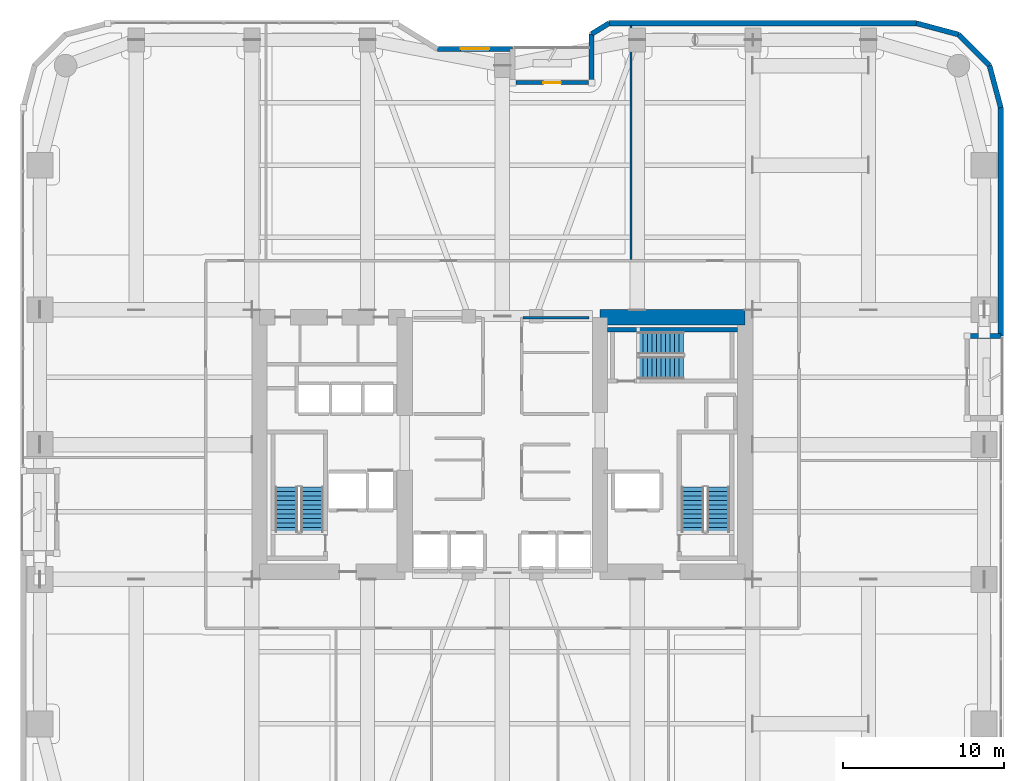
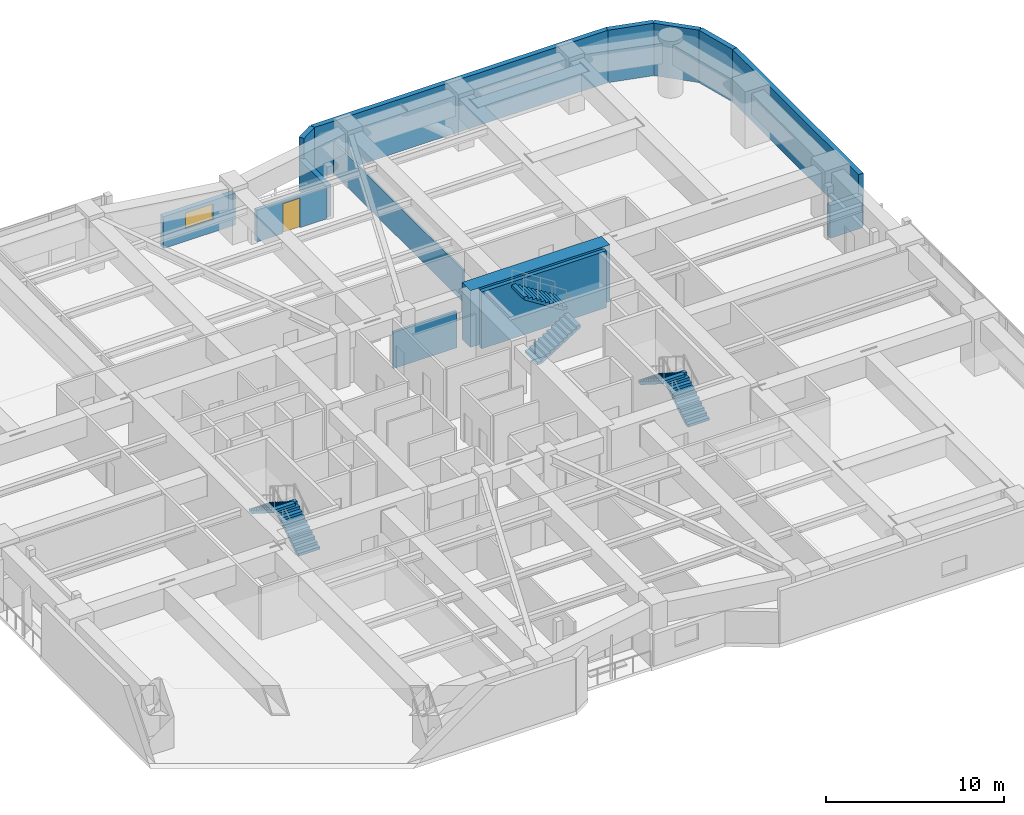
# One storey, part 25 of 28: 14 walls, 6 stair flights, 1 door, 1 window, 2 openings, 3 elements without a shape of their own.
"""IFC4 building model written with IfcOpenShell, lengths in metres."""

from ifc_helpers import new_model, si_unit, direction, frame, frame_2d, origin, place, context, subcontext, project, spatial, polyline, rectangle, outline, extrude, material, layer, layer_set, type_object, element, fill, aggregate, save


model = new_model("IFC4")

# Units and contexts
model_context = context("Model", 3, precision=1e-05, world=origin(), true_north=direction((0.0, 1.0)))
body_context = subcontext(model_context, "Body", "Model", "MODEL_VIEW")
ifc_project = project(units=[si_unit("LENGTHUNIT", "METRE"), si_unit("AREAUNIT", "SQUARE_METRE"), si_unit("VOLUMEUNIT", "CUBIC_METRE"), si_unit("PLANEANGLEUNIT", "RADIAN"), si_unit("MASSUNIT", "GRAM", prefix="KILO")], contexts=[model_context])

# Site, building, storey
site_placement = place(None, origin())
site = spatial("IfcSite", under=ifc_project, at=site_placement, CompositionType="ELEMENT")
building_placement = place(site_placement, origin())
building = spatial("IfcBuilding", under=site, at=building_placement, Name="Kiyonajd Concourse Tower", CompositionType="ELEMENT")
storey_placement = place(building_placement, frame((0.0, 0.0, 76.800048828125)))
storey = spatial("IfcBuildingStorey", under=building, at=storey_placement, Name="L20", CompositionType="ELEMENT", Elevation=76.800048828125)

# Wall
ifc_material_1 = material(Name="Concrete C80/95", Category="concrete")
ifc_layer_1 = layer(ifc_material_1, 0.949951171875)
ifc_layer_set_1 = layer_set([ifc_layer_1], Name="Concrete C80/95")
wall_type_1 = type_object("IfcWallType", Name="WL-CORE-950", PredefinedType="SHEAR", material=ifc_layer_set_1)
wall_1_placement = place(storey_placement, frame((54.074951171875, 43.925048828125, 0.0), z_axis=(0.0, 0.0, 1.0), x_axis=(1.0, 0.0, 0.0)))
element("IfcWall", 1, at=wall_1_placement, inside=storey, type_object=wall_type_1, Name="L20 East Core North Shear Wall", PredefinedType="SHEAR", context=body_context, shape_type="SweptSolid", body=[
    extrude(rectangle(XDim=9.050048828125, YDim=0.949951171875, at=frame_2d((4.52490234375, 0.0))), origin(), (0.0, 0.0, 1.0), 3.89990234375),
])

# Wall, opening, window
ifc_material_2 = material(Name="Precast concrete C50/60", Category="concrete")
ifc_layer_2 = layer(ifc_material_2, 0.320068359375)
ifc_layer_set_2 = layer_set([ifc_layer_2], Name="Precast concrete C50/60")
wall_type_2 = type_object("IfcWallType", Name="WL-EXT-320", PredefinedType="SOLIDWALL", material=ifc_layer_set_2)
wall_2_placement = place(storey_placement, frame((43.95458984375, 60.639892578125, 0.0), z_axis=(0.0, 0.0, 1.0), x_axis=(1.0, 0.0, 0.0)))
wall_2 = element("IfcWall", 2, at=wall_2_placement, inside=storey, type_object=wall_type_2, Name="L20 Exterior Concrete Frame Wall 11", PredefinedType="SOLIDWALL", context=body_context, shape_type="SweptSolid", body=[
    extrude(rectangle(XDim=4.685302734375, YDim=0.320068359375, at=frame_2d((2.3427734375, 0.0))), origin(), (0.0, 0.0, 1.0), 2.18505859375),
])
opening_1_placement = place(wall_2_placement, frame((1.443115234375, 0.0, 0.85009765625)))
opening_1 = element("IfcOpeningElement", 3, at=opening_1_placement, cuts=wall_2, Name="Opening WN1", PredefinedType="OPENING", context=body_context, shape_type="SweptSolid", body=[
    extrude(rectangle(XDim=1.800048828125, YDim=1.10009765625, at=frame_2d((0.89990234375, 0.550048828125))), frame((0.0, 0.169921875, 0.0), z_axis=(0.0, -1.0, 0.0), x_axis=(1.0, 0.0, 0.0)), (0.0, 0.0, 1.0), 0.340087890625),
])
ifc_material_3 = material(Name="Double Low-E Insulated Glass", Category="glass")
window_type = type_object("IfcWindowType", Name="WN-VIS-1800x1100", PartitioningType="SINGLE_PANEL", PredefinedType="WINDOW", material=ifc_material_3)
window_placement = place(opening_1_placement, origin())
window = element("IfcWindow", 4, at=window_placement, inside=storey, type_object=window_type, Name="L20 Modular Facade Vision Window 11", OverallHeight=1.10009765625, OverallWidth=1.800048828125, PartitioningType="SINGLE_PANEL", PredefinedType="WINDOW", context=body_context, shape_type="SweptSolid", body=[
    extrude(rectangle(XDim=1.800048828125, YDim=1.10009765625, at=frame_2d((0.89990234375, 0.550048828125))), frame((0.0, 0.030029296875, 0.0), z_axis=(0.0, -1.0, 0.0), x_axis=(1.0, 0.0, 0.0)), (0.0, 0.0, 1.0), 0.06005859375),
])
fill(opening_1, window)

# Walls
wall_3_placement = place(storey_placement, frame((53.56005859375, 58.5400390625, 0.0), z_axis=(0.0, 0.0, 1.0), x_axis=(0.0, 1.0, 0.0)))
element("IfcWall", 5, at=wall_3_placement, inside=storey, type_object=wall_type_2, Name="L20 Exterior Concrete Frame Wall 14", PredefinedType="SOLIDWALL", context=body_context, shape_type="SweptSolid", body=[
    extrude(rectangle(XDim=3.032470703125, YDim=0.320068359375, at=frame_2d((1.51611328125, 0.0))), origin(), (0.0, 0.0, 1.0), 2.18505859375),
])
wall_4_placement = place(storey_placement, frame((53.56005859375, 61.572509765625, 0.0), z_axis=(0.0, 0.0, 1.0), x_axis=(0.851776724646, 0.523904964045, 0.0)))
element("IfcWall", 6, at=wall_4_placement, inside=storey, type_object=wall_type_2, Name="L20 Exterior Concrete Frame Wall 15", PredefinedType="SOLIDWALL", context=body_context, shape_type="SweptSolid", body=[
    extrude(rectangle(XDim=1.274169921875, YDim=0.320068359375, at=frame_2d((0.63720703125, 0.0))), origin(), (0.0, 0.0, 1.0), 3.599853515625),
])
wall_5_placement = place(storey_placement, frame((54.645263671875, 62.239990234375, 0.0), z_axis=(0.0, 0.0, 1.0), x_axis=(1.0, 0.0, 0.0)))
element("IfcWall", 7, at=wall_5_placement, inside=storey, type_object=wall_type_2, Name="L20 Exterior Concrete Frame Wall 16", PredefinedType="SOLIDWALL", context=body_context, shape_type="SweptSolid", body=[
    extrude(rectangle(XDim=19.133544921875, YDim=0.320068359375, at=frame_2d((9.56689453125, 0.0))), origin(), (0.0, 0.0, 1.0), 3.599853515625),
])
wall_6_placement = place(storey_placement, frame((73.77880859375, 62.239990234375, 0.0), z_axis=(0.0, 0.0, 1.0), x_axis=(0.965964405026, -0.25867502435, 0.0)))
element("IfcWall", 8, at=wall_6_placement, inside=storey, type_object=wall_type_2, Name="L20 Exterior Concrete Frame Wall 17", PredefinedType="SOLIDWALL", context=body_context, shape_type="SweptSolid", body=[
    extrude(rectangle(XDim=2.7314453125, YDim=0.320068359375, at=frame_2d((1.36572265625, 0.0))), origin(), (0.0, 0.0, 1.0), 3.599853515625),
])
wall_7_placement = place(storey_placement, frame((76.417236328125, 61.533447265625, 0.0), z_axis=(0.0, 0.0, 1.0), x_axis=(0.707106781187, -0.707106781187, 0.0)))
element("IfcWall", 9, at=wall_7_placement, inside=storey, type_object=wall_type_2, Name="L20 Exterior Concrete Frame Wall 18", PredefinedType="SOLIDWALL", context=body_context, shape_type="SweptSolid", body=[
    extrude(rectangle(XDim=2.7099609375, YDim=0.320068359375, at=frame_2d((1.35498046875, 0.0))), origin(), (0.0, 0.0, 1.0), 3.599853515625),
])
wall_8_placement = place(storey_placement, frame((78.33349609375, 59.6171875, 0.0), z_axis=(0.0, 0.0, 1.0), x_axis=(0.25869736047, -0.965958423373, 0.0)))
element("IfcWall", 10, at=wall_8_placement, inside=storey, type_object=wall_type_2, Name="L20 Exterior Concrete Frame Wall 19", PredefinedType="SOLIDWALL", context=body_context, shape_type="SweptSolid", body=[
    extrude(rectangle(XDim=2.731201171875, YDim=0.320068359375, at=frame_2d((1.36572265625, 0.0))), origin(), (0.0, 0.0, 1.0), 3.599853515625),
])
wall_9_placement = place(storey_placement, frame((79.0400390625, 56.97900390625, 0.0), z_axis=(0.0, 0.0, 1.0), x_axis=(0.0, -1.0, 0.0)))
element("IfcWall", 11, at=wall_9_placement, inside=storey, type_object=wall_type_2, Name="L20 Exterior Concrete Frame Wall 20", PredefinedType="SOLIDWALL", context=body_context, shape_type="SweptSolid", body=[
    extrude(rectangle(XDim=14.218994140625, YDim=0.320068359375, at=frame_2d((7.109375, 0.0))), origin(), (0.0, 0.0, 1.0), 3.599853515625),
])
wall_10_placement = place(storey_placement, frame((79.0400390625, 42.760009765625, 0.0), z_axis=(0.0, 0.0, 1.0), x_axis=(-1.0, 0.0, 0.0)))
element("IfcWall", 12, at=wall_10_placement, inside=storey, type_object=wall_type_2, Name="L20 Exterior Concrete Frame Wall 21", PredefinedType="SOLIDWALL", context=body_context, shape_type="SweptSolid", body=[
    extrude(rectangle(XDim=2.10009765625, YDim=0.320068359375, at=frame_2d((1.050048828125, 0.0))), origin(), (0.0, 0.0, 1.0), 2.244873046875),
])

# Wall, opening, door
ifc_layer_3 = layer(ifc_material_2, 0.239990234375)
ifc_layer_set_3 = layer_set([ifc_layer_3], Name="Precast concrete C50/60")
wall_type_3 = type_object("IfcWallType", Name="WL-LOG-240", PredefinedType="SOLIDWALL", material=ifc_layer_set_3)
wall_11_placement = place(storey_placement, frame((48.8349609375, 58.5400390625, 0.0), z_axis=(0.0, 0.0, 1.0), x_axis=(1.0, 0.0, 0.0)))
wall_11 = element("IfcWall", 13, at=wall_11_placement, inside=storey, type_object=wall_type_3, Name="L20 Recessed Loggia Thermal Wall LOG-N", PredefinedType="SOLIDWALL", context=body_context, shape_type="SweptSolid", body=[
    extrude(rectangle(XDim=4.530029296875, YDim=0.239990234375, at=frame_2d((2.26513671875, 0.0))), origin(), (0.0, 0.0, 1.0), 2.18505859375),
])
opening_2_placement = place(wall_11_placement, frame((1.715087890625, 0.0, 0.0)))
opening_2 = element("IfcOpeningElement", 14, at=opening_2_placement, cuts=wall_11, Name="Opening DL2", PredefinedType="OPENING", context=body_context, shape_type="SweptSolid", body=[
    extrude(rectangle(XDim=1.10009765625, YDim=2.0400390625, at=frame_2d((0.550048828125, 1.02001953125))), frame((0.0, 0.1298828125, 0.0), z_axis=(0.0, -1.0, 0.0), x_axis=(1.0, 0.0, 0.0)), (0.0, 0.0, 1.0), 0.260009765625),
])
ifc_material_4 = material(Name="Thermally Broken Anodised Aluminium", Category="aluminium")
door_type = type_object("IfcDoorType", Name="DR-LOG-1100", OperationType="NOTDEFINED", PredefinedType="DOOR", material=ifc_material_4)
door_placement = place(opening_2_placement, origin())
door = element("IfcDoor", 15, at=door_placement, inside=storey, type_object=door_type, Name="L20 Engawa Loggia Access Door LOG-N", OperationType="SINGLE_SWING_RIGHT", OverallHeight=2.0400390625, OverallWidth=1.10009765625, PredefinedType="DOOR", context=body_context, shape_type="SweptSolid", body=[
    extrude(rectangle(XDim=1.10009765625, YDim=2.0400390625, at=frame_2d((0.550048828125, 1.02001953125))), frame((0.0, 0.02490234375, 0.0), z_axis=(0.0, -1.0, 0.0), x_axis=(1.0, 0.0, 0.0)), (0.0, 0.0, 1.0), 0.050048828125),
])
fill(opening_2, door)

# Walls
ifc_material_5 = material(Name="Gypsum Board on Cold-Formed Steel Stud", Category="steel")
ifc_layer_4 = layer(ifc_material_5, 0.125)
ifc_layer_set_4 = layer_set([ifc_layer_4], Name="Gypsum Board on Cold-Formed Steel Stud")
wall_type_4 = type_object("IfcWallType", Name="WL-PART-125", PredefinedType="PARTITIONING", material=ifc_layer_set_4)
wall_12_placement = place(storey_placement, frame((56.0, 47.527099609375, 0.0), z_axis=(0.0, 0.0, 1.0), x_axis=(0.0, 1.0, 0.0)))
element("IfcWall", 16, at=wall_12_placement, inside=storey, type_object=wall_type_4, Name="L20 Interior Partition Wall", PredefinedType="PARTITIONING", context=body_context, shape_type="SweptSolid", body=[
    extrude(rectangle(XDim=14.557861328125, YDim=0.125, at=frame_2d((7.27880859375, 0.0))), origin(), (0.0, 0.0, 1.0), 2.18505859375),
])
ifc_layer_5 = layer(ifc_material_5, 0.169921875)
ifc_layer_set_5 = layer_set([ifc_layer_5], Name="Gypsum Board on Cold-Formed Steel Stud")
wall_type_5 = type_object("IfcWallType", Name="WL-SMK-170", PredefinedType="PARTITIONING", material=ifc_layer_set_5)
wall_13_placement = place(storey_placement, frame((49.287109375, 43.89990234375, 0.0), z_axis=(0.0, 0.0, 1.0), x_axis=(1.0, 0.0, 0.0)))
element("IfcWall", 17, at=wall_13_placement, inside=storey, type_object=wall_type_5, Name="L20 Interior Partition Wall", PredefinedType="PARTITIONING", context=body_context, shape_type="SweptSolid", body=[
    extrude(rectangle(XDim=4.11279296875, YDim=0.169921875, at=frame_2d((2.056396484375, 0.0))), origin(), (0.0, 0.0, 1.0), 2.48486328125),
])
ifc_material_6 = material(Name="Concrete C50/60", Category="concrete")
ifc_layer_6 = layer(ifc_material_6, 0.260009765625)
ifc_layer_set_6 = layer_set([ifc_layer_6], Name="Concrete C50/60")
wall_type_6 = type_object("IfcWallType", Name="WL-STAIR-260", PredefinedType="SHEAR", material=ifc_layer_set_6)
wall_14_placement = place(storey_placement, frame((54.550048828125, 43.14990234375, 0.0), z_axis=(0.0, 0.0, 1.0), x_axis=(1.0, 0.0, 0.0)))
element("IfcWall", 18, at=wall_14_placement, inside=storey, type_object=wall_type_6, Name="L20 Stair ST3 Structural North Wall", PredefinedType="SHEAR", context=body_context, shape_type="SweptSolid", body=[
    extrude(rectangle(XDim=8.099853515625, YDim=0.260009765625, at=frame_2d((4.0498046875, 0.0))), origin(), (0.0, 0.0, 1.0), 3.89990234375),
])

# Stair, stair flights
ifc_material_7 = material(Name="Concrete C40/50", Category="concrete")
stair_type = type_object("IfcStairType", Name="ST-DLG-22R", PredefinedType="HALF_TURN_STAIR", material=ifc_material_7)
stair_1_placement = place(storey_placement, origin())
stair_1 = element("IfcStair", 19, at=stair_1_placement, inside=storey, type_object=stair_type, Name="L20 Protected Exit Stair ST1", PredefinedType="HALF_TURN_STAIR")
stair_flight_type = type_object("IfcStairFlightType", Name="SF-STR-22R", PredefinedType="STRAIGHT", material=ifc_material_7)
stair_flight_1_placement = place(storey_placement, frame((36.14990234375, 30.550048828125, 0.0), z_axis=(0.0, 0.0, 1.0), x_axis=(0.0, 1.0, 0.0)))
stair_flight_1 = element("IfcStairFlight", 20, at=stair_flight_1_placement, type_object=stair_flight_type, Name="ST1 flight 1", NumberOfRisers=11, NumberOfTreads=10, PredefinedType="STRAIGHT", RiserHeight=0.177272727, TreadLength=0.28, context=body_context, shape_type="SweptSolid", body=[
    extrude(outline(polyline([(0.0, 0.0), (0.0, 0.17724609375), (0.280029296875, 0.17724609375), (0.280029296875, 0.3544921875), (0.56005859375, 0.3544921875), (0.56005859375, 0.53173828125), (0.840087890625, 0.53173828125), (0.840087890625, 0.708984375), (1.1201171875, 0.708984375), (1.1201171875, 0.886474609375), (1.39990234375, 0.886474609375), (1.39990234375, 1.063720703125), (1.679931640625, 1.063720703125), (1.679931640625, 1.240966796875), (1.9599609375, 1.240966796875), (1.9599609375, 1.418212890625), (2.239990234375, 1.418212890625), (2.239990234375, 1.595458984375), (2.52001953125, 1.595458984375), (2.52001953125, 1.772705078125), (2.800048828125, 1.772705078125), (2.800048828125, 1.949951171875), (2.800048828125, 1.59521484375), (0.2802734375, 0.0), (0.0, 0.0)])), frame((0.0, 0.699951171875, 0.0), z_axis=(0.0, -1.0, 0.0), x_axis=(1.0, 0.0, 0.0)), (0.0, 0.0, 1.0), 1.39990234375),
])
stair_flight_2_placement = place(storey_placement, frame((34.550048828125, 33.35009765625, 1.949951171875), z_axis=(0.0, 0.0, 1.0), x_axis=(0.0, -1.0, 0.0)))
stair_flight_2 = element("IfcStairFlight", 21, at=stair_flight_2_placement, type_object=stair_flight_type, Name="ST1 flight 2", NumberOfRisers=11, NumberOfTreads=10, PredefinedType="STRAIGHT", RiserHeight=0.177272727, TreadLength=0.28, context=body_context, shape_type="SweptSolid", body=[
    extrude(outline(polyline([(0.0, 0.0), (0.0, 0.17724609375), (0.280029296875, 0.17724609375), (0.280029296875, 0.3544921875), (0.56005859375, 0.3544921875), (0.56005859375, 0.53173828125), (0.840087890625, 0.53173828125), (0.840087890625, 0.708984375), (1.1201171875, 0.708984375), (1.1201171875, 0.886474609375), (1.39990234375, 0.886474609375), (1.39990234375, 1.063720703125), (1.679931640625, 1.063720703125), (1.679931640625, 1.240966796875), (1.9599609375, 1.240966796875), (1.9599609375, 1.418212890625), (2.239990234375, 1.418212890625), (2.239990234375, 1.595458984375), (2.52001953125, 1.595458984375), (2.52001953125, 1.772705078125), (2.800048828125, 1.772705078125), (2.800048828125, 1.949951171875), (2.800048828125, 1.59521484375), (0.2802734375, 0.0), (0.0, 0.0)])), frame((0.0, 0.699951171875, 0.0), z_axis=(0.0, -1.0, 0.0), x_axis=(1.0, 0.0, 0.0)), (0.0, 0.0, 1.0), 1.39990234375),
])
aggregate(stair_1, [stair_flight_1, stair_flight_2])

stair_2_placement = place(storey_placement, origin())
stair_2 = element("IfcStair", 22, at=stair_2_placement, inside=storey, type_object=stair_type, Name="L20 Protected Exit Stair ST2", PredefinedType="HALF_TURN_STAIR")
stair_flight_3_placement = place(storey_placement, frame((61.449951171875, 30.550048828125, 0.0), z_axis=(0.0, 0.0, 1.0), x_axis=(0.0, 1.0, 0.0)))
stair_flight_3 = element("IfcStairFlight", 23, at=stair_flight_3_placement, type_object=stair_flight_type, Name="ST2 flight 1", NumberOfRisers=11, NumberOfTreads=10, PredefinedType="STRAIGHT", RiserHeight=0.177272727, TreadLength=0.28, context=body_context, shape_type="SweptSolid", body=[
    extrude(outline(polyline([(0.0, 0.0), (0.0, 0.17724609375), (0.280029296875, 0.17724609375), (0.280029296875, 0.3544921875), (0.56005859375, 0.3544921875), (0.56005859375, 0.53173828125), (0.840087890625, 0.53173828125), (0.840087890625, 0.708984375), (1.1201171875, 0.708984375), (1.1201171875, 0.886474609375), (1.39990234375, 0.886474609375), (1.39990234375, 1.063720703125), (1.679931640625, 1.063720703125), (1.679931640625, 1.240966796875), (1.9599609375, 1.240966796875), (1.9599609375, 1.418212890625), (2.239990234375, 1.418212890625), (2.239990234375, 1.595458984375), (2.52001953125, 1.595458984375), (2.52001953125, 1.772705078125), (2.800048828125, 1.772705078125), (2.800048828125, 1.949951171875), (2.800048828125, 1.59521484375), (0.2802734375, 0.0), (0.0, 0.0)])), frame((0.0, 0.699951171875, 0.0), z_axis=(0.0, -1.0, 0.0), x_axis=(1.0, 0.0, 0.0)), (0.0, 0.0, 1.0), 1.39990234375),
])
stair_flight_4_placement = place(storey_placement, frame((59.85009765625, 33.35009765625, 1.949951171875), z_axis=(0.0, 0.0, 1.0), x_axis=(0.0, -1.0, 0.0)))
stair_flight_4 = element("IfcStairFlight", 24, at=stair_flight_4_placement, type_object=stair_flight_type, Name="ST2 flight 2", NumberOfRisers=11, NumberOfTreads=10, PredefinedType="STRAIGHT", RiserHeight=0.177272727, TreadLength=0.28, context=body_context, shape_type="SweptSolid", body=[
    extrude(outline(polyline([(0.0, 0.0), (0.0, 0.17724609375), (0.280029296875, 0.17724609375), (0.280029296875, 0.3544921875), (0.56005859375, 0.3544921875), (0.56005859375, 0.53173828125), (0.840087890625, 0.53173828125), (0.840087890625, 0.708984375), (1.1201171875, 0.708984375), (1.1201171875, 0.886474609375), (1.39990234375, 0.886474609375), (1.39990234375, 1.063720703125), (1.679931640625, 1.063720703125), (1.679931640625, 1.240966796875), (1.9599609375, 1.240966796875), (1.9599609375, 1.418212890625), (2.239990234375, 1.418212890625), (2.239990234375, 1.595458984375), (2.52001953125, 1.595458984375), (2.52001953125, 1.772705078125), (2.800048828125, 1.772705078125), (2.800048828125, 1.949951171875), (2.800048828125, 1.59521484375), (0.2802734375, 0.0), (0.0, 0.0)])), frame((0.0, 0.699951171875, 0.0), z_axis=(0.0, -1.0, 0.0), x_axis=(1.0, 0.0, 0.0)), (0.0, 0.0, 1.0), 1.39990234375),
])
aggregate(stair_2, [stair_flight_3, stair_flight_4])

stair_3_placement = place(storey_placement, origin())
stair_3 = element("IfcStair", 25, at=stair_3_placement, inside=storey, type_object=stair_type, Name="L20 Protected Exit Stair ST3", PredefinedType="HALF_TURN_STAIR")
stair_flight_5_placement = place(storey_placement, frame((56.47998046875, 40.780029296875, 0.0), z_axis=(0.0, 0.0, 1.0), x_axis=(1.0, 0.0, 0.0)))
stair_flight_5 = element("IfcStairFlight", 26, at=stair_flight_5_placement, type_object=stair_flight_type, Name="ST3 flight 1", NumberOfRisers=11, NumberOfTreads=10, PredefinedType="STRAIGHT", RiserHeight=0.177272727, TreadLength=0.28, context=body_context, shape_type="SweptSolid", body=[
    extrude(outline(polyline([(0.0, 0.0), (0.0, 0.17724609375), (0.280029296875, 0.17724609375), (0.280029296875, 0.3544921875), (0.56005859375, 0.3544921875), (0.56005859375, 0.53173828125), (0.840087890625, 0.53173828125), (0.840087890625, 0.708984375), (1.1201171875, 0.708984375), (1.1201171875, 0.886474609375), (1.39990234375, 0.886474609375), (1.39990234375, 1.063720703125), (1.679931640625, 1.063720703125), (1.679931640625, 1.240966796875), (1.9599609375, 1.240966796875), (1.9599609375, 1.418212890625), (2.239990234375, 1.418212890625), (2.239990234375, 1.595458984375), (2.52001953125, 1.595458984375), (2.52001953125, 1.772705078125), (2.800048828125, 1.772705078125), (2.800048828125, 1.949951171875), (2.800048828125, 1.59521484375), (0.2802734375, 0.0), (0.0, 0.0)])), frame((0.0, 0.699951171875, 0.0), z_axis=(0.0, -1.0, 0.0), x_axis=(1.0, 0.0, 0.0)), (0.0, 0.0, 1.0), 1.39990234375),
])
stair_flight_6_placement = place(storey_placement, frame((59.280029296875, 42.320068359375, 1.949951171875), z_axis=(0.0, 0.0, 1.0), x_axis=(-1.0, 0.0, 0.0)))
stair_flight_6 = element("IfcStairFlight", 27, at=stair_flight_6_placement, type_object=stair_flight_type, Name="ST3 flight 2", NumberOfRisers=11, NumberOfTreads=10, PredefinedType="STRAIGHT", RiserHeight=0.177272727, TreadLength=0.28, context=body_context, shape_type="SweptSolid", body=[
    extrude(outline(polyline([(0.0, 0.0), (0.0, 0.17724609375), (0.280029296875, 0.17724609375), (0.280029296875, 0.3544921875), (0.56005859375, 0.3544921875), (0.56005859375, 0.53173828125), (0.840087890625, 0.53173828125), (0.840087890625, 0.708984375), (1.1201171875, 0.708984375), (1.1201171875, 0.886474609375), (1.39990234375, 0.886474609375), (1.39990234375, 1.063720703125), (1.679931640625, 1.063720703125), (1.679931640625, 1.240966796875), (1.9599609375, 1.240966796875), (1.9599609375, 1.418212890625), (2.239990234375, 1.418212890625), (2.239990234375, 1.595458984375), (2.52001953125, 1.595458984375), (2.52001953125, 1.772705078125), (2.800048828125, 1.772705078125), (2.800048828125, 1.949951171875), (2.800048828125, 1.59521484375), (0.2802734375, 0.0), (0.0, 0.0)])), frame((0.0, 0.699951171875, 0.0), z_axis=(0.0, -1.0, 0.0), x_axis=(1.0, 0.0, 0.0)), (0.0, 0.0, 1.0), 1.39990234375),
])
aggregate(stair_3, [stair_flight_5, stair_flight_6])

save(model, "model.ifc")
